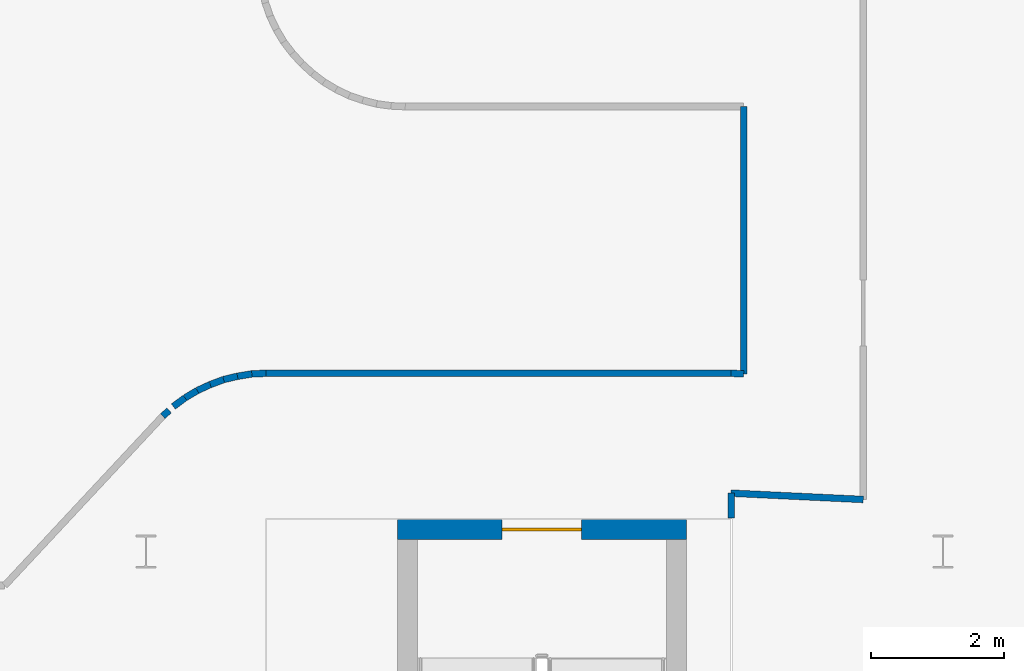
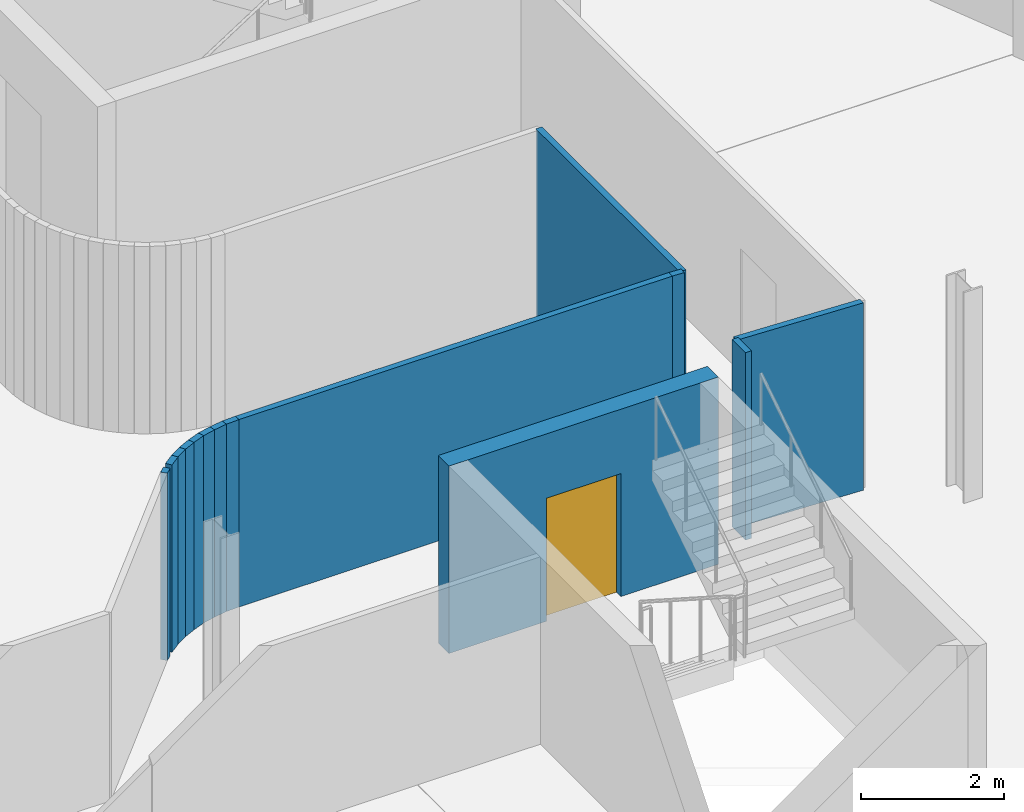
# One storey, part 17 of 29: 14 walls, 1 door, 1 opening.
"""IFC4 building model written with IfcOpenShell, lengths in metres."""

from ifc_helpers import new_model, si_unit, direction, frame, frame_2d, origin, place, context, subcontext, project, spatial, rectangle, extrude, material, layer, layer_set, type_object, element, fill, save


model = new_model("IFC4")

# Units and contexts
model_context = context("Model", 3, precision=1e-05, world=origin(), true_north=direction((0.0, 1.0)))
body_context = subcontext(model_context, "Body", "Model", "MODEL_VIEW")
ifc_project = project(units=[si_unit("LENGTHUNIT", "METRE"), si_unit("AREAUNIT", "SQUARE_METRE"), si_unit("VOLUMEUNIT", "CUBIC_METRE"), si_unit("PLANEANGLEUNIT", "RADIAN"), si_unit("MASSUNIT", "GRAM", prefix="KILO")], contexts=[model_context])

# Site, building, storey
site_placement = place(None, origin())
site = spatial("IfcSite", under=ifc_project, at=site_placement, CompositionType="ELEMENT")
building_placement = place(site_placement, origin())
building = spatial("IfcBuilding", under=site, at=building_placement, Name="Wharfspan Tower", CompositionType="ELEMENT")
storey_placement = place(building_placement, frame((0.0, 0.0, 162.699951)))
storey = spatial("IfcBuildingStorey", under=building, at=storey_placement, Name="L39", CompositionType="ELEMENT", Elevation=162.699951)

# Walls
ifc_material_1 = material(Name="Gypsum board on steel studs", Category="steel")
ifc_layer_1 = layer(ifc_material_1, 0.100098)
ifc_layer_set_1 = layer_set([ifc_layer_1], Name="Gypsum board on steel studs")
wall_type_1 = type_object("IfcWallType", Name="Compartment wall 100 EI 60", PredefinedType="PARTITIONING", material=ifc_layer_set_1)
wall_1_placement = place(storey_placement, frame((60.254883, 13.540039, 0.0), z_axis=(0.0, 0.0, 1.0), x_axis=(0.746144, 0.66579, 0.0)))
element("IfcWall", 1, at=wall_1_placement, inside=storey, type_object=wall_type_1, Name="Partition L39.w069", PredefinedType="PARTITIONING", context=body_context, shape_type="SweptSolid", body=[
    extrude(rectangle(XDim=0.127686, YDim=0.100098, at=frame_2d((0.063965, 0.0))), origin(), (0.0, 0.0, 1.0), 3.199951),
])
wall_2_placement = place(storey_placement, frame((60.415039, 13.685059, 0.0), z_axis=(0.0, 0.0, 1.0), x_axis=(0.803079, 0.595869, 0.0)))
element("IfcWall", 2, at=wall_2_placement, inside=storey, type_object=wall_type_1, Name="Partition L39.w070", PredefinedType="PARTITIONING", context=body_context, shape_type="SweptSolid", body=[
    extrude(rectangle(XDim=0.218018, YDim=0.100098, at=frame_2d((0.108887, 0.0))), origin(), (0.0, 0.0, 1.0), 3.199951),
])
wall_3_placement = place(storey_placement, frame((60.590088, 13.814941, 0.0), z_axis=(0.0, 0.0, 1.0), x_axis=(0.859091, 0.511823, 0.0)))
element("IfcWall", 3, at=wall_3_placement, inside=storey, type_object=wall_type_1, Name="Partition L39.w071", PredefinedType="PARTITIONING", context=body_context, shape_type="SweptSolid", body=[
    extrude(rectangle(XDim=0.215088, YDim=0.100098, at=frame_2d((0.107422, 0.0))), origin(), (0.0, 0.0, 1.0), 3.199951),
])
wall_4_placement = place(storey_placement, frame((60.774902, 13.925049, 0.0), z_axis=(0.0, 0.0, 1.0), x_axis=(0.908296, 0.418339, 0.0)))
element("IfcWall", 4, at=wall_4_placement, inside=storey, type_object=wall_type_1, Name="Partition L39.w072", PredefinedType="PARTITIONING", context=body_context, shape_type="SweptSolid", body=[
    extrude(rectangle(XDim=0.214844, YDim=0.100098, at=frame_2d((0.107422, 0.0))), origin(), (0.0, 0.0, 1.0), 3.199951),
])
wall_5_placement = place(storey_placement, frame((60.969971, 14.014893, 0.0), z_axis=(0.0, 0.0, 1.0), x_axis=(0.936, 0.352, 0.0)))
element("IfcWall", 5, at=wall_5_placement, inside=storey, type_object=wall_type_1, Name="Partition L39.w073", PredefinedType="PARTITIONING", context=body_context, shape_type="SweptSolid", body=[
    extrude(rectangle(XDim=0.213623, YDim=0.100098, at=frame_2d((0.106934, 0.0))), origin(), (0.0, 0.0, 1.0), 3.199951),
])
wall_6_placement = place(storey_placement, frame((61.169922, 14.090088, 0.0), z_axis=(0.0, 0.0, 1.0), x_axis=(0.972997, 0.230804, 0.0)))
element("IfcWall", 6, at=wall_6_placement, inside=storey, type_object=wall_type_1, Name="Partition L39.w074", PredefinedType="PARTITIONING", context=body_context, shape_type="SweptSolid", body=[
    extrude(rectangle(XDim=0.21582, YDim=0.100098, at=frame_2d((0.10791, 0.0))), origin(), (0.0, 0.0, 1.0), 3.199951),
])
wall_7_placement = place(storey_placement, frame((61.379883, 14.139893, 0.0), z_axis=(0.0, 0.0, 1.0), x_axis=(0.986904, 0.16131, 0.0)))
element("IfcWall", 7, at=wall_7_placement, inside=storey, type_object=wall_type_1, Name="Partition L39.w075", PredefinedType="PARTITIONING", context=body_context, shape_type="SweptSolid", body=[
    extrude(rectangle(XDim=0.218018, YDim=0.100098, at=frame_2d((0.108887, 0.0))), origin(), (0.0, 0.0, 1.0), 3.199951),
])
wall_8_placement = place(storey_placement, frame((61.594971, 14.175049, 0.0), z_axis=(0.0, 0.0, 1.0), x_axis=(0.998923, 0.046488, 0.0)))
element("IfcWall", 8, at=wall_8_placement, inside=storey, type_object=wall_type_1, Name="Partition L39.w076", PredefinedType="PARTITIONING", context=body_context, shape_type="SweptSolid", body=[
    extrude(rectangle(XDim=0.215332, YDim=0.100098, at=frame_2d((0.107666, 0.0))), origin(), (0.0, 0.0, 1.0), 3.199951),
])
wall_9_placement = place(storey_placement, frame((61.810059, 14.185059, 0.0), z_axis=(0.0, 0.0, 1.0), x_axis=(1.0, 0.0, 0.0)))
element("IfcWall", 9, at=wall_9_placement, inside=storey, type_object=wall_type_1, Name="Partition L39.w081", PredefinedType="PARTITIONING", context=body_context, shape_type="SweptSolid", body=[
    extrude(rectangle(XDim=7.0, YDim=0.100098, at=frame_2d((3.5, 0.0))), origin(), (0.0, 0.0, 1.0), 3.199951),
])
wall_10_placement = place(storey_placement, frame((68.810059, 12.003662, 0.0), z_axis=(0.0, 0.0, 1.0), x_axis=(0.0, 1.0, 0.0)))
element("IfcWall", 10, at=wall_10_placement, inside=storey, type_object=wall_type_1, Name="Partition L39.w097", PredefinedType="PARTITIONING", context=body_context, shape_type="SweptSolid", body=[
    extrude(rectangle(XDim=0.376221, YDim=0.100098, at=frame_2d((0.187988, 0.0))), origin(), (0.0, 0.0, 1.0), 3.199951),
])
wall_11_placement = place(storey_placement, frame((69.0, 14.175049, 0.0), z_axis=(0.0, 0.0, 1.0), x_axis=(-0.99861, 0.052626, 0.0)))
element("IfcWall", 11, at=wall_11_placement, inside=storey, type_object=wall_type_1, Name="Partition L39.w099", PredefinedType="PARTITIONING", context=body_context, shape_type="SweptSolid", body=[
    extrude(rectangle(XDim=0.190186, YDim=0.100098, at=frame_2d((0.095215, 0.0))), origin(), (0.0, 0.0, 1.0), 3.199951),
])
wall_12_placement = place(storey_placement, frame((69.0, 14.175049, 0.0), z_axis=(0.0, 0.0, 1.0), x_axis=(0.0, 1.0, 0.0)))
element("IfcWall", 12, at=wall_12_placement, inside=storey, type_object=wall_type_1, Name="Partition L39.w100", PredefinedType="PARTITIONING", context=body_context, shape_type="SweptSolid", body=[
    extrude(rectangle(XDim=4.024902, YDim=0.100098, at=frame_2d((2.012451, 0.0))), origin(), (0.0, 0.0, 1.0), 3.199951),
])
wall_13_placement = place(storey_placement, frame((70.800049, 12.284912, 0.0), z_axis=(0.0, 0.0, 1.0), x_axis=(-0.998864, 0.04767, 0.0)))
element("IfcWall", 13, at=wall_13_placement, inside=storey, type_object=wall_type_1, Name="Partition L39.w101", PredefinedType="PARTITIONING", context=body_context, shape_type="SweptSolid", body=[
    extrude(rectangle(XDim=1.992188, YDim=0.100098, at=frame_2d((0.996094, 0.0))), origin(), (0.0, 0.0, 1.0), 3.199951),
])

# Wall, opening, door
ifc_material_2 = material(Name="Concrete C40/50", Category="concrete")
ifc_layer_2 = layer(ifc_material_2, 0.300049)
ifc_layer_set_2 = layer_set([ifc_layer_2], Name="Concrete C40/50")
wall_type_2 = type_object("IfcWallType", Name="Stair core wall 300", PredefinedType="SHEAR", material=ifc_layer_set_2)
wall_14_placement = place(storey_placement, frame((63.786377, 11.83374, 0.0), z_axis=(0.0, 0.0, 1.0), x_axis=(1.0, 0.0, 0.0)))
wall_14 = element("IfcWall", 14, at=wall_14_placement, inside=storey, type_object=wall_type_2, Name="ST5 stair enclosure wall L39", PredefinedType="SHEAR", context=body_context, shape_type="SweptSolid", body=[
    extrude(rectangle(XDim=4.350098, YDim=0.300049, at=frame_2d((2.175049, 0.0))), origin(), (0.0, 0.0, 1.0), 3.199951),
])
opening_placement = place(wall_14_placement, frame((1.574951, 0.0, 0.0)))
opening = element("IfcOpeningElement", 15, at=opening_placement, cuts=wall_14, Name="Opening SD5.L39", PredefinedType="OPENING", context=body_context, shape_type="SweptSolid", body=[
    extrude(rectangle(XDim=1.199951, YDim=2.100098, at=frame_2d((0.600098, 1.050049))), frame((0.0, 0.159912, 0.0), z_axis=(0.0, -1.0, 0.0), x_axis=(1.0, 0.0, 0.0)), (0.0, 0.0, 1.0), 0.320068),
])
ifc_material_3 = material(Name="Steel door leaf", Category="steel")
door_type = type_object("IfcDoorType", Name="Stair door 1200x2100", OperationType="SINGLE_SWING_LEFT", PredefinedType="DOOR", material=ifc_material_3)
door_placement = place(opening_placement, origin())
door = element("IfcDoor", 16, at=door_placement, inside=storey, type_object=door_type, Name="sd:L39:ST5z3", OperationType="SINGLE_SWING_RIGHT", OverallHeight=2.100098, OverallWidth=1.199951, PredefinedType="DOOR", context=body_context, shape_type="SweptSolid", body=[
    extrude(rectangle(XDim=1.199951, YDim=2.100098, at=frame_2d((0.600098, 1.050049))), frame((0.0, 0.024902, 0.0), z_axis=(0.0, -1.0, 0.0), x_axis=(1.0, 0.0, 0.0)), (0.0, 0.0, 1.0), 0.050049),
])
fill(opening, door)

save(model, "model.ifc")
